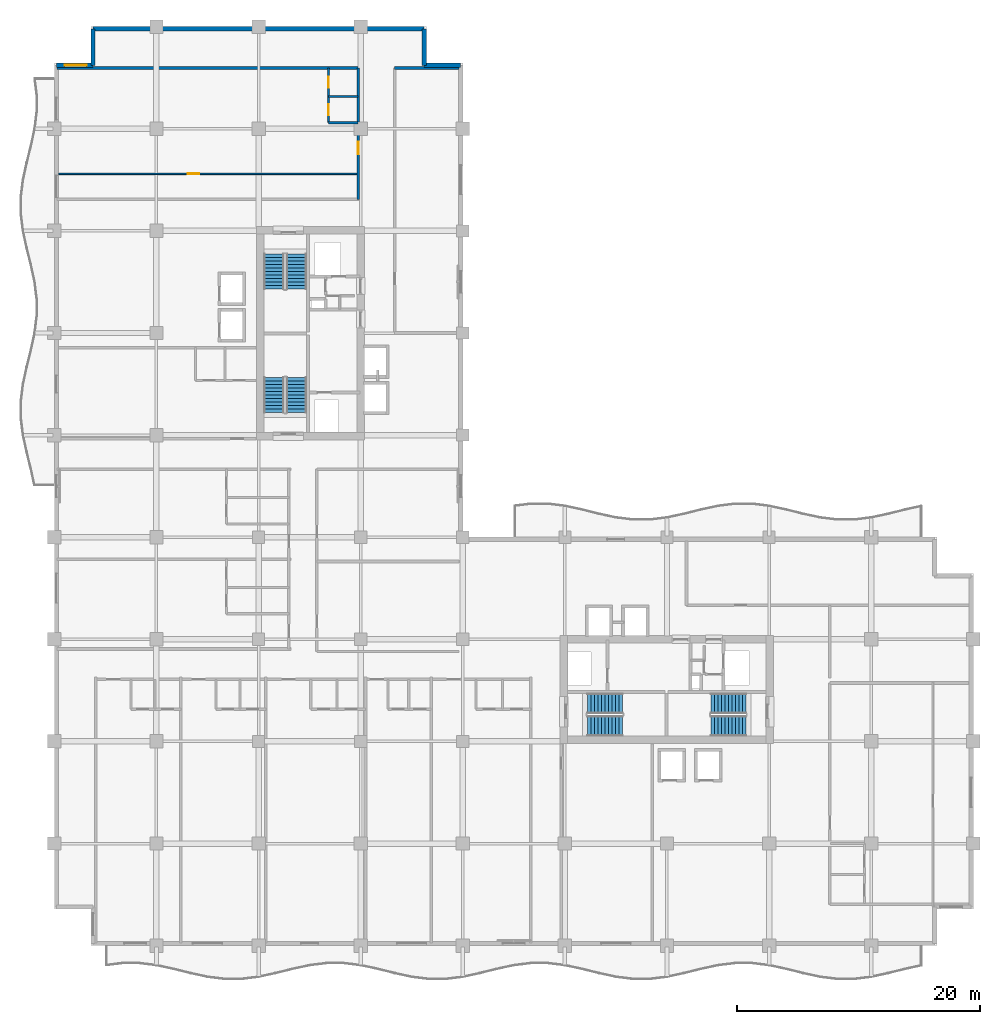
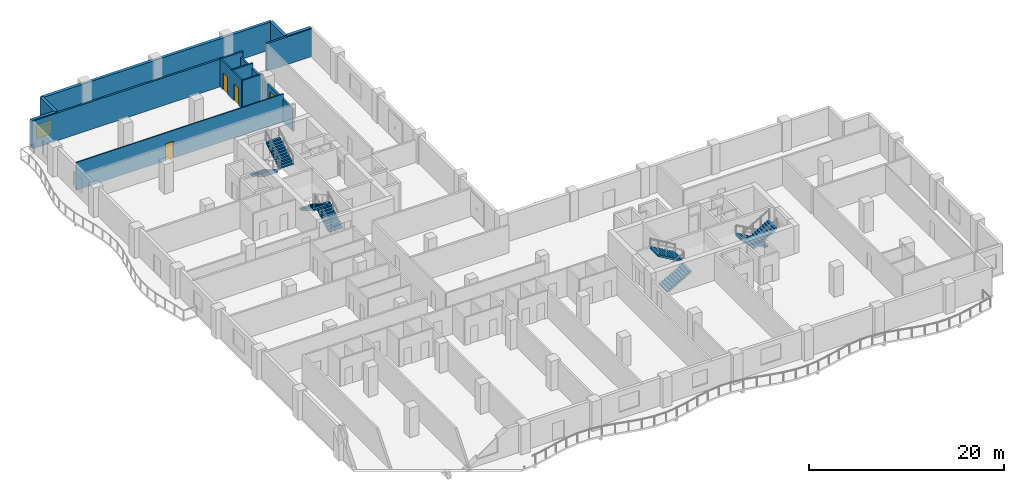
# One storey, part 10 of 15: 12 walls, 8 stair flights, 4 doors, 1 window, 5 openings, 4 elements without a shape of their own.
"""IFC4 building model written with IfcOpenShell, lengths in metres."""

from ifc_helpers import new_model, si_unit, direction, frame, frame_2d, origin, place, context, subcontext, project, spatial, polyline, rectangle, outline, extrude, material, layer, layer_set, type_object, element, fill, aggregate, save


model = new_model("IFC4")

# Units and contexts
model_context = context("Model", 3, precision=1e-05, world=origin(), true_north=direction((0.0, 1.0)))
body_context = subcontext(model_context, "Body", "Model", "MODEL_VIEW")
ifc_project = project(units=[si_unit("LENGTHUNIT", "METRE"), si_unit("AREAUNIT", "SQUARE_METRE"), si_unit("VOLUMEUNIT", "CUBIC_METRE"), si_unit("PLANEANGLEUNIT", "RADIAN"), si_unit("MASSUNIT", "GRAM", prefix="KILO")], contexts=[model_context])

# Site, building, storey
site_placement = place(None, origin())
site = spatial("IfcSite", under=ifc_project, at=site_placement, CompositionType="ELEMENT")
building_placement = place(site_placement, origin())
building = spatial("IfcBuilding", under=site, at=building_placement, Name="Koriwani Terraces Tower", CompositionType="ELEMENT")
storey_placement = place(building_placement, frame((0.0, 0.0, 193.89990234375)))
storey = spatial("IfcBuildingStorey", under=building, at=storey_placement, Name="L47", CompositionType="ELEMENT", Elevation=193.89990234375)

# Wall, opening, door
ifc_material_1 = material(Name="Autoclaved Cellular Concrete Blockwork", Category="masonry")
ifc_layer_1 = layer(ifc_material_1, 0.199951171875, Name="Autoclaved Cellular Concrete Blockwork")
ifc_layer_set_1 = layer_set([ifc_layer_1], Name="Autoclaved Cellular Concrete Blockwork")
wall_type_1 = type_object("IfcWallType", Name="WALL_CORRIDOR_200", PredefinedType="PARTITIONING", material=ifc_layer_set_1)
wall_1_placement = place(storey_placement, frame((25.0, 61.39990234375, 0.0), z_axis=(0.0, 0.0, 1.0), x_axis=(0.0, 1.0, 0.0)))
wall_1 = element("IfcWall", 1, at=wall_1_placement, inside=storey, type_object=wall_type_1, Name="L47 Interior Wall WRCOR-L47-NE-0", PredefinedType="PARTITIONING", context=body_context, shape_type="SweptSolid", body=[
    extrude(rectangle(XDim=10.800048828125, YDim=0.199951171875, at=frame_2d((5.39990234375, 0.0))), origin(), (0.0, 0.0, 1.0), 2.820068359375),
])
opening_1_placement = place(wall_1_placement, frame((3.719970703125, 0.0, 0.0)))
opening_1 = element("IfcOpeningElement", 2, at=opening_1_placement, cuts=wall_1, Name="Opening D-05", PredefinedType="OPENING", context=body_context, shape_type="SweptSolid", body=[
    extrude(rectangle(XDim=1.0, YDim=2.14990234375, at=frame_2d((0.5, 1.074951171875))), frame((0.0, 0.10986328125, 0.0), z_axis=(0.0, -1.0, 0.0), x_axis=(1.0, 0.0, 0.0)), (0.0, 0.0, 1.0), 0.219970703125),
])
ifc_material_2 = material(Name="Architectural Oak Fire Door", Category="wood")
door_type_1 = type_object("IfcDoorType", Name="DOOR_SUITE_ENTRY_1000X2150", OperationType="NOTDEFINED", PredefinedType="DOOR", material=ifc_material_2)
door_1_placement = place(opening_1_placement, origin())
door_1 = element("IfcDoor", 3, at=door_1_placement, inside=storey, type_object=door_type_1, Name="Apartment 47NE1 Entrance Door", OperationType="SINGLE_SWING_RIGHT", OverallHeight=2.14990234375, OverallWidth=1.0, PredefinedType="DOOR", context=body_context, shape_type="SweptSolid", body=[
    extrude(rectangle(XDim=1.0, YDim=2.14990234375, at=frame_2d((0.5, 1.074951171875))), frame((0.0, 0.02490234375, 0.0), z_axis=(0.0, -1.0, 0.0), x_axis=(1.0, 0.0, 0.0)), (0.0, 0.0, 1.0), 0.050048828125),
])
fill(opening_1, door_1)

# Walls
ifc_layer_2 = layer(ifc_material_1, 0.219970703125, Name="Autoclaved Cellular Concrete Blockwork")
ifc_layer_set_2 = layer_set([ifc_layer_2], Name="Autoclaved Cellular Concrete Blockwork")
wall_type_2 = type_object("IfcWallType", Name="WALL_DEMISING_220", PredefinedType="PARTITIONING", material=ifc_layer_set_2)
wall_2_placement = place(storey_placement, frame((0.199951171875, 72.199951171875, 0.0), z_axis=(0.0, 0.0, 1.0), x_axis=(1.0, 0.0, 0.0)))
element("IfcWall", 4, at=wall_2_placement, inside=storey, type_object=wall_type_2, Name="L47 Interior Wall WRDEME-L47-NE", PredefinedType="PARTITIONING", context=body_context, shape_type="SweptSolid", body=[
    extrude(rectangle(XDim=24.97998046875, YDim=0.219970703125, at=frame_2d((12.489990234375, 0.0))), origin(), (0.0, 0.0, 1.0), 3.47021484375),
])
wall_3_placement = place(storey_placement, frame((28.0, 72.199951171875, 0.0), z_axis=(0.0, 0.0, 1.0), x_axis=(1.0, 0.0, 0.0)))
element("IfcWall", 5, at=wall_3_placement, inside=storey, type_object=wall_type_2, Name="L47 Interior Wall WNEC-N-L47", PredefinedType="PARTITIONING", context=body_context, shape_type="SweptSolid", body=[
    extrude(rectangle(XDim=5.300048828125, YDim=0.219970703125, at=frame_2d((2.64990234375, 0.0))), origin(), (0.0, 0.0, 1.0), 3.47021484375),
])

# Wall, opening, window
ifc_material_3 = material(Name="Concrete C50/60", Category="concrete")
ifc_layer_3 = layer(ifc_material_3, 0.35009765625, Name="Concrete C50/60")
ifc_layer_set_3 = layer_set([ifc_layer_3], Name="Concrete C50/60")
wall_type_3 = type_object("IfcWallType", Name="WALL_EXT_BRUTALIST_350", PredefinedType="STANDARD", material=ifc_layer_set_3)
wall_4_placement = place(storey_placement, frame((0.175048828125, 72.425048828125, 0.0), z_axis=(0.0, 0.0, 1.0), x_axis=(1.0, 0.0, 0.0)))
wall_4 = element("IfcWall", 6, at=wall_4_placement, inside=storey, type_object=wall_type_3, Name="L47 Fair-Faced Brutalist Exterior Wall (N3)", PredefinedType="STANDARD", context=body_context, shape_type="SweptSolid", body=[
    extrude(rectangle(XDim=3.0, YDim=0.35009765625, at=frame_2d((1.5, 0.0))), origin(), (0.0, 0.0, 1.0), 3.47021484375),
])
opening_2_placement = place(wall_4_placement, frame((0.677490234375, 0.0, 0.85009765625)))
opening_2 = element("IfcOpeningElement", 7, at=opening_2_placement, cuts=wall_4, Name="Opening W-04", PredefinedType="OPENING", context=body_context, shape_type="SweptSolid", body=[
    extrude(rectangle(XDim=1.800048828125, YDim=1.800048828125, at=frame_2d((0.89990234375, 0.89990234375))), frame((0.0, 0.18505859375, 0.0), z_axis=(0.0, -1.0, 0.0), x_axis=(1.0, 0.0, 0.0)), (0.0, 0.0, 1.0), 0.3701171875),
])
ifc_material_4 = material(Name="Tempered Laminated Low-E Glass", Category="glass")
window_type = type_object("IfcWindowType", Name="WIN_RES_BED_1800X1800", PartitioningType="DOUBLE_PANEL_VERTICAL", PredefinedType="WINDOW", material=ifc_material_4)
window_placement = place(opening_2_placement, origin())
window = element("IfcWindow", 8, at=window_placement, inside=storey, type_object=window_type, Name="L47 Exterior Window (N3-R56)", OverallHeight=1.800048828125, OverallWidth=1.800048828125, PartitioningType="SINGLE_PANEL", PredefinedType="WINDOW", context=body_context, shape_type="SweptSolid", body=[
    extrude(rectangle(XDim=1.800048828125, YDim=1.800048828125, at=frame_2d((0.89990234375, 0.89990234375))), frame((0.0, 0.030029296875, 0.0), z_axis=(0.0, -1.0, 0.0), x_axis=(1.0, 0.0, 0.0)), (0.0, 0.0, 1.0), 0.06005859375),
])
fill(opening_2, window)

# Walls
wall_5_placement = place(storey_placement, frame((3.175048828125, 72.425048828125, 0.0), z_axis=(0.0, 0.0, 1.0), x_axis=(0.0, 1.0, 0.0)))
element("IfcWall", 9, at=wall_5_placement, inside=storey, type_object=wall_type_3, Name="L47 Fair-Faced Brutalist Exterior Wall (N4)", PredefinedType="STANDARD", context=body_context, shape_type="SweptSolid", body=[
    extrude(rectangle(XDim=3.0, YDim=0.35009765625, at=frame_2d((1.5, 0.0))), origin(), (0.0, 0.0, 1.0), 3.47021484375),
])
wall_6_placement = place(storey_placement, frame((3.175048828125, 75.425048828125, 0.0), z_axis=(0.0, 0.0, 1.0), x_axis=(1.0, 0.0, 0.0)))
element("IfcWall", 10, at=wall_6_placement, inside=storey, type_object=wall_type_3, Name="L47 Fair-Faced Brutalist Exterior Wall (N_TIP)", PredefinedType="STANDARD", context=body_context, shape_type="SweptSolid", body=[
    extrude(rectangle(XDim=27.25, YDim=0.35009765625, at=frame_2d((13.625, 0.0))), origin(), (0.0, 0.0, 1.0), 3.47021484375),
])
for number, where, z_axis, x_axis, name in (
    (11, (30.425048828125, 75.425048828125, 0.0), (0.0, 0.0, 1.0), (0.0, -1.0, 0.0), "L47 Fair-Faced Brutalist Exterior Wall (N6)"),
    (12, (30.425048828125, 72.425048828125, 0.0), (0.0, 0.0, 1.0), (1.0, 0.0, 0.0), "L47 Fair-Faced Brutalist Exterior Wall (N7)"),
):
    element("IfcWall", number, at=place(storey_placement, frame(where, z_axis=z_axis, x_axis=x_axis)), inside=storey, type_object=wall_type_3, Name=name, PredefinedType="STANDARD", context=body_context, shape_type="SweptSolid", body=[
        extrude(rectangle(XDim=3.0, YDim=0.35009765625, at=frame_2d((1.5, 0.0))), origin(), (0.0, 0.0, 1.0), 3.47021484375),
    ])

# Wall, opening, door
ifc_material_5 = material(Name="Fire-Rated Acoustic Gypsum Partition", Category="masonry")
ifc_layer_4 = layer(ifc_material_5, 0.125, Name="Fire-Rated Acoustic Gypsum Partition")
ifc_layer_set_4 = layer_set([ifc_layer_4], Name="Fire-Rated Acoustic Gypsum Partition")
wall_type_4 = type_object("IfcWallType", Name="WALL_INT_125", PredefinedType="PARTITIONING", material=ifc_layer_set_4)
wall_7_placement = place(storey_placement, frame((0.35009765625, 63.5, 0.0), z_axis=(0.0, 0.0, 1.0), x_axis=(1.0, 0.0, 0.0)))
wall_7 = element("IfcWall", 13, at=wall_7_placement, inside=storey, type_object=wall_type_4, Name="L47 Interior Wall WRBED1-L47-NE-0", PredefinedType="PARTITIONING", context=body_context, shape_type="SweptSolid", body=[
    extrude(rectangle(XDim=24.64990234375, YDim=0.125, at=frame_2d((12.324951171875, 0.0))), origin(), (0.0, 0.0, 1.0), 3.47021484375),
])
opening_3_placement = place(wall_7_placement, frame((10.639892578125, 0.0, 0.0)))
opening_3 = element("IfcOpeningElement", 14, at=opening_3_placement, cuts=wall_7, Name="Opening D-06", PredefinedType="OPENING", context=body_context, shape_type="SweptSolid", body=[
    extrude(rectangle(XDim=0.919921875, YDim=2.10009765625, at=frame_2d((0.4599609375, 1.050048828125))), frame((0.0, 0.072509765625, 0.0), z_axis=(0.0, -1.0, 0.0), x_axis=(1.0, 0.0, 0.0)), (0.0, 0.0, 1.0), 0.14501953125),
])
door_type_2 = type_object("IfcDoorType", Name="DOOR_ROOM_INT_920X2100", OperationType="NOTDEFINED", PredefinedType="DOOR", material=ifc_material_2)
door_2_placement = place(opening_3_placement, origin())
door_2 = element("IfcDoor", 15, at=door_2_placement, inside=storey, type_object=door_type_2, Name="Apartment 47NE1 Master Bedroom Door", OperationType="SINGLE_SWING_LEFT", OverallHeight=2.10009765625, OverallWidth=0.919921875, PredefinedType="DOOR", context=body_context, shape_type="SweptSolid", body=[
    extrude(rectangle(XDim=0.919921875, YDim=2.10009765625, at=frame_2d((0.4599609375, 1.050048828125))), frame((0.0, 0.02490234375, 0.0), z_axis=(0.0, -1.0, 0.0), x_axis=(1.0, 0.0, 0.0)), (0.0, 0.0, 1.0), 0.050048828125),
])
fill(opening_3, door_2)

# Wall, openings, doors
ifc_layer_5 = layer(ifc_material_5, 0.179931640625, Name="Fire-Rated Acoustic Gypsum Partition")
ifc_layer_set_5 = layer_set([ifc_layer_5], Name="Fire-Rated Acoustic Gypsum Partition")
wall_type_5 = type_object("IfcWallType", Name="WALL_PLUMBING_180", PredefinedType="PLUMBINGWALL", material=ifc_layer_set_5)
wall_8_placement = place(storey_placement, frame((22.550048828125, 67.699951171875, 0.0), z_axis=(0.0, 0.0, 1.0), x_axis=(0.0, 1.0, 0.0)))
wall_8 = element("IfcWall", 16, at=wall_8_placement, inside=storey, type_object=wall_type_5, Name="L47 Interior Wall WRSVC-L47-NE-0", PredefinedType="PLUMBINGWALL", context=body_context, shape_type="SweptSolid", body=[
    extrude(rectangle(XDim=4.5, YDim=0.179931640625, at=frame_2d((2.25, 0.0))), origin(), (0.0, 0.0, 1.0), 3.47021484375),
])
opening_4_placement = place(wall_8_placement, frame((0.6298828125, 0.0, 0.0)))
opening_4 = element("IfcOpeningElement", 17, at=opening_4_placement, cuts=wall_8, Name="Opening D-07", PredefinedType="OPENING", context=body_context, shape_type="SweptSolid", body=[
    extrude(rectangle(XDim=0.89990234375, YDim=2.10009765625, at=frame_2d((0.449951171875, 1.050048828125))), frame((0.0, 0.10009765625, 0.0), z_axis=(0.0, -1.0, 0.0), x_axis=(1.0, 0.0, 0.0)), (0.0, 0.0, 1.0), 0.199951171875),
])
opening_5_placement = place(wall_8_placement, frame((2.8701171875, 0.0, 0.0)))
opening_5 = element("IfcOpeningElement", 18, at=opening_5_placement, cuts=wall_8, Name="Opening D-06", PredefinedType="OPENING", context=body_context, shape_type="SweptSolid", body=[
    extrude(rectangle(XDim=0.919921875, YDim=2.10009765625, at=frame_2d((0.4599609375, 1.050048828125))), frame((0.0, 0.10009765625, 0.0), z_axis=(0.0, -1.0, 0.0), x_axis=(1.0, 0.0, 0.0)), (0.0, 0.0, 1.0), 0.199951171875),
])
door_type_3 = type_object("IfcDoorType", Name="DOOR_BATH_INT_900X2100", OperationType="NOTDEFINED", PredefinedType="DOOR", material=ifc_material_2)
door_3_placement = place(opening_4_placement, origin())
door_3 = element("IfcDoor", 19, at=door_3_placement, inside=storey, type_object=door_type_3, Name="Apartment 47NE1 Bathroom Door", OperationType="SINGLE_SWING_LEFT", OverallHeight=2.10009765625, OverallWidth=0.89990234375, PredefinedType="DOOR", context=body_context, shape_type="SweptSolid", body=[
    extrude(rectangle(XDim=0.89990234375, YDim=2.10009765625, at=frame_2d((0.449951171875, 1.050048828125))), frame((0.0, 0.02490234375, 0.0), z_axis=(0.0, -1.0, 0.0), x_axis=(1.0, 0.0, 0.0)), (0.0, 0.0, 1.0), 0.050048828125),
])
fill(opening_4, door_3)
door_4_placement = place(opening_5_placement, origin())
door_4 = element("IfcDoor", 20, at=door_4_placement, inside=storey, type_object=door_type_2, Name="Apartment 47NE1 Kitchen Door", OperationType="SINGLE_SWING_RIGHT", OverallHeight=2.10009765625, OverallWidth=0.919921875, PredefinedType="DOOR", context=body_context, shape_type="SweptSolid", body=[
    extrude(rectangle(XDim=0.919921875, YDim=2.10009765625, at=frame_2d((0.4599609375, 1.050048828125))), frame((0.0, 0.02490234375, 0.0), z_axis=(0.0, -1.0, 0.0), x_axis=(1.0, 0.0, 0.0)), (0.0, 0.0, 1.0), 0.050048828125),
])
fill(opening_5, door_4)

# Walls
for number, where, z_axis, x_axis, name in (
    (21, (22.550048828125, 67.699951171875, 0.0), (0.0, 0.0, 1.0), (1.0, 0.0, 0.0), "L47 Interior Wall WRSVCS-L47-NE-0"),
    (22, (22.550048828125, 69.860107421875, 0.0), (0.0, 0.0, 1.0), (1.0, 0.0, 0.0), "L47 Interior Wall WRSVCM-L47-NE-0"),
):
    element("IfcWall", number, at=place(storey_placement, frame(where, z_axis=z_axis, x_axis=x_axis)), inside=storey, type_object=wall_type_5, Name=name, PredefinedType="PLUMBINGWALL", context=body_context, shape_type="SweptSolid", body=[
        extrude(rectangle(XDim=2.449951171875, YDim=0.179931640625, at=frame_2d((1.22509765625, 0.0))), origin(), (0.0, 0.0, 1.0), 3.47021484375),
    ])

# Stair, stair flights
ifc_material_6 = material(Name="Concrete C40/50", Category="concrete")
stair_type = type_object("IfcStairType", Name="STAIR_CORE_DOGLEG_1650", PredefinedType="TWO_STRAIGHT_RUN_STAIR", material=ifc_material_6)
stair_1_placement = place(storey_placement, origin())
stair_1 = element("IfcStair", 23, at=stair_1_placement, inside=storey, type_object=stair_type, Name="L47 West Core Exit Stair 1", PredefinedType="HALF_TURN_STAIR")
stair_flight_type = type_object("IfcStairFlightType", Name="STAIR_FLIGHT_RC_1650", PredefinedType="STRAIGHT", material=ifc_material_6)
stair_flight_1_placement = place(storey_placement, frame((19.925048828125, 43.85009765625, 0.0), z_axis=(0.0, 0.0, 1.0), x_axis=(0.0, 1.0, 0.0)))
stair_flight_1 = element("IfcStairFlight", 24, at=stair_flight_1_placement, type_object=stair_flight_type, Name="ST-W1 flight 1", NumberOfRisers=11, NumberOfTreads=10, PredefinedType="STRAIGHT", RiserHeight=0.168181818, TreadLength=0.29, context=body_context, shape_type="SweptSolid", body=[
    extrude(outline(polyline([(0.0, 0.0), (0.0, 0.168212890625), (0.2900390625, 0.168212890625), (0.2900390625, 0.33642578125), (0.580078125, 0.33642578125), (0.580078125, 0.504638671875), (0.8701171875, 0.504638671875), (0.8701171875, 0.672607421875), (1.159912109375, 0.672607421875), (1.159912109375, 0.8408203125), (1.449951171875, 0.8408203125), (1.449951171875, 1.009033203125), (1.739990234375, 1.009033203125), (1.739990234375, 1.17724609375), (2.030029296875, 1.17724609375), (2.030029296875, 1.345458984375), (2.320068359375, 1.345458984375), (2.320068359375, 1.513671875), (2.610107421875, 1.513671875), (2.610107421875, 1.681884765625), (2.89990234375, 1.681884765625), (2.89990234375, 1.85009765625), (2.89990234375, 1.473876953125), (0.358642578125, 0.0), (0.0, 0.0)])), frame((0.0, 0.824951171875, 0.0), z_axis=(0.0, -1.0, 0.0), x_axis=(1.0, 0.0, 0.0)), (0.0, 0.0, 1.0), 1.64990234375),
])
stair_flight_2_placement = place(storey_placement, frame((18.074951171875, 46.75, 1.85009765625), z_axis=(0.0, 0.0, 1.0), x_axis=(0.0, -1.0, 0.0)))
stair_flight_2 = element("IfcStairFlight", 25, at=stair_flight_2_placement, type_object=stair_flight_type, Name="ST-W1 flight 2", NumberOfRisers=11, NumberOfTreads=10, PredefinedType="STRAIGHT", RiserHeight=0.168181818, TreadLength=0.29, context=body_context, shape_type="SweptSolid", body=[
    extrude(outline(polyline([(0.0, 0.0), (0.0, 0.168212890625), (0.2900390625, 0.168212890625), (0.2900390625, 0.33642578125), (0.580078125, 0.33642578125), (0.580078125, 0.504638671875), (0.8701171875, 0.504638671875), (0.8701171875, 0.672607421875), (1.159912109375, 0.672607421875), (1.159912109375, 0.8408203125), (1.449951171875, 0.8408203125), (1.449951171875, 1.009033203125), (1.739990234375, 1.009033203125), (1.739990234375, 1.17724609375), (2.030029296875, 1.17724609375), (2.030029296875, 1.345458984375), (2.320068359375, 1.345458984375), (2.320068359375, 1.513671875), (2.610107421875, 1.513671875), (2.610107421875, 1.681884765625), (2.89990234375, 1.681884765625), (2.89990234375, 1.85009765625), (2.89990234375, 1.473876953125), (0.358642578125, 0.0), (0.0, 0.0)])), frame((0.0, 0.824951171875, 0.0), z_axis=(0.0, -1.0, 0.0), x_axis=(1.0, 0.0, 0.0)), (0.0, 0.0, 1.0), 1.64990234375),
])
aggregate(stair_1, [stair_flight_1, stair_flight_2])

stair_2_placement = place(storey_placement, origin())
stair_2 = element("IfcStair", 26, at=stair_2_placement, inside=storey, type_object=stair_type, Name="L47 West Core Exit Stair 2", PredefinedType="HALF_TURN_STAIR")
stair_flight_3_placement = place(storey_placement, frame((18.074951171875, 56.89990234375, 0.0), z_axis=(0.0, 0.0, 1.0), x_axis=(0.0, -1.0, 0.0)))
stair_flight_3 = element("IfcStairFlight", 27, at=stair_flight_3_placement, type_object=stair_flight_type, Name="ST-W2 flight 1", NumberOfRisers=11, NumberOfTreads=10, PredefinedType="STRAIGHT", RiserHeight=0.168181818, TreadLength=0.29, context=body_context, shape_type="SweptSolid", body=[
    extrude(outline(polyline([(0.0, 0.0), (0.0, 0.168212890625), (0.2900390625, 0.168212890625), (0.2900390625, 0.33642578125), (0.580078125, 0.33642578125), (0.580078125, 0.504638671875), (0.8701171875, 0.504638671875), (0.8701171875, 0.672607421875), (1.159912109375, 0.672607421875), (1.159912109375, 0.8408203125), (1.449951171875, 0.8408203125), (1.449951171875, 1.009033203125), (1.739990234375, 1.009033203125), (1.739990234375, 1.17724609375), (2.030029296875, 1.17724609375), (2.030029296875, 1.345458984375), (2.320068359375, 1.345458984375), (2.320068359375, 1.513671875), (2.610107421875, 1.513671875), (2.610107421875, 1.681884765625), (2.89990234375, 1.681884765625), (2.89990234375, 1.85009765625), (2.89990234375, 1.473876953125), (0.358642578125, 0.0), (0.0, 0.0)])), frame((0.0, 0.824951171875, 0.0), z_axis=(0.0, -1.0, 0.0), x_axis=(1.0, 0.0, 0.0)), (0.0, 0.0, 1.0), 1.64990234375),
])
stair_flight_4_placement = place(storey_placement, frame((19.925048828125, 54.0, 1.85009765625), z_axis=(0.0, 0.0, 1.0), x_axis=(0.0, 1.0, 0.0)))
stair_flight_4 = element("IfcStairFlight", 28, at=stair_flight_4_placement, type_object=stair_flight_type, Name="ST-W2 flight 2", NumberOfRisers=11, NumberOfTreads=10, PredefinedType="STRAIGHT", RiserHeight=0.168181818, TreadLength=0.29, context=body_context, shape_type="SweptSolid", body=[
    extrude(outline(polyline([(0.0, 0.0), (0.0, 0.168212890625), (0.2900390625, 0.168212890625), (0.2900390625, 0.33642578125), (0.580078125, 0.33642578125), (0.580078125, 0.504638671875), (0.8701171875, 0.504638671875), (0.8701171875, 0.672607421875), (1.159912109375, 0.672607421875), (1.159912109375, 0.8408203125), (1.449951171875, 0.8408203125), (1.449951171875, 1.009033203125), (1.739990234375, 1.009033203125), (1.739990234375, 1.17724609375), (2.030029296875, 1.17724609375), (2.030029296875, 1.345458984375), (2.320068359375, 1.345458984375), (2.320068359375, 1.513671875), (2.610107421875, 1.513671875), (2.610107421875, 1.681884765625), (2.89990234375, 1.681884765625), (2.89990234375, 1.85009765625), (2.89990234375, 1.473876953125), (0.358642578125, 0.0), (0.0, 0.0)])), frame((0.0, 0.824951171875, 0.0), z_axis=(0.0, -1.0, 0.0), x_axis=(1.0, 0.0, 0.0)), (0.0, 0.0, 1.0), 1.64990234375),
])
aggregate(stair_2, [stair_flight_3, stair_flight_4])

stair_3_placement = place(storey_placement, origin())
stair_3 = element("IfcStair", 29, at=stair_3_placement, inside=storey, type_object=stair_type, Name="L47 East Core Exit Stair 1", PredefinedType="HALF_TURN_STAIR")
stair_flight_5_placement = place(storey_placement, frame((43.85009765625, 18.074951171875, 0.0), z_axis=(0.0, 0.0, 1.0), x_axis=(1.0, 0.0, 0.0)))
stair_flight_5 = element("IfcStairFlight", 30, at=stair_flight_5_placement, type_object=stair_flight_type, Name="ST-E1 flight 1", NumberOfRisers=11, NumberOfTreads=10, PredefinedType="STRAIGHT", RiserHeight=0.168181818, TreadLength=0.29, context=body_context, shape_type="SweptSolid", body=[
    extrude(outline(polyline([(0.0, 0.0), (0.0, 0.168212890625), (0.2900390625, 0.168212890625), (0.2900390625, 0.33642578125), (0.580078125, 0.33642578125), (0.580078125, 0.504638671875), (0.8701171875, 0.504638671875), (0.8701171875, 0.672607421875), (1.159912109375, 0.672607421875), (1.159912109375, 0.8408203125), (1.449951171875, 0.8408203125), (1.449951171875, 1.009033203125), (1.739990234375, 1.009033203125), (1.739990234375, 1.17724609375), (2.030029296875, 1.17724609375), (2.030029296875, 1.345458984375), (2.320068359375, 1.345458984375), (2.320068359375, 1.513671875), (2.610107421875, 1.513671875), (2.610107421875, 1.681884765625), (2.89990234375, 1.681884765625), (2.89990234375, 1.85009765625), (2.89990234375, 1.473876953125), (0.358642578125, 0.0), (0.0, 0.0)])), frame((0.0, 0.824951171875, 0.0), z_axis=(0.0, -1.0, 0.0), x_axis=(1.0, 0.0, 0.0)), (0.0, 0.0, 1.0), 1.64990234375),
])
stair_flight_6_placement = place(storey_placement, frame((46.75, 19.925048828125, 1.85009765625), z_axis=(0.0, 0.0, 1.0), x_axis=(-1.0, 0.0, 0.0)))
stair_flight_6 = element("IfcStairFlight", 31, at=stair_flight_6_placement, type_object=stair_flight_type, Name="ST-E1 flight 2", NumberOfRisers=11, NumberOfTreads=10, PredefinedType="STRAIGHT", RiserHeight=0.168181818, TreadLength=0.29, context=body_context, shape_type="SweptSolid", body=[
    extrude(outline(polyline([(0.0, 0.0), (0.0, 0.168212890625), (0.2900390625, 0.168212890625), (0.2900390625, 0.33642578125), (0.580078125, 0.33642578125), (0.580078125, 0.504638671875), (0.8701171875, 0.504638671875), (0.8701171875, 0.672607421875), (1.159912109375, 0.672607421875), (1.159912109375, 0.8408203125), (1.449951171875, 0.8408203125), (1.449951171875, 1.009033203125), (1.739990234375, 1.009033203125), (1.739990234375, 1.17724609375), (2.030029296875, 1.17724609375), (2.030029296875, 1.345458984375), (2.320068359375, 1.345458984375), (2.320068359375, 1.513671875), (2.610107421875, 1.513671875), (2.610107421875, 1.681884765625), (2.89990234375, 1.681884765625), (2.89990234375, 1.85009765625), (2.89990234375, 1.473876953125), (0.358642578125, 0.0), (0.0, 0.0)])), frame((0.0, 0.824951171875, 0.0), z_axis=(0.0, -1.0, 0.0), x_axis=(1.0, 0.0, 0.0)), (0.0, 0.0, 1.0), 1.64990234375),
])
aggregate(stair_3, [stair_flight_5, stair_flight_6])

stair_4_placement = place(storey_placement, origin())
stair_4 = element("IfcStair", 32, at=stair_4_placement, inside=storey, type_object=stair_type, Name="L47 East Core Exit Stair 2", PredefinedType="HALF_TURN_STAIR")
stair_flight_7_placement = place(storey_placement, frame((56.89990234375, 19.925048828125, 0.0), z_axis=(0.0, 0.0, 1.0), x_axis=(-1.0, 0.0, 0.0)))
stair_flight_7 = element("IfcStairFlight", 33, at=stair_flight_7_placement, type_object=stair_flight_type, Name="ST-E2 flight 1", NumberOfRisers=11, NumberOfTreads=10, PredefinedType="STRAIGHT", RiserHeight=0.168181818, TreadLength=0.29, context=body_context, shape_type="SweptSolid", body=[
    extrude(outline(polyline([(0.0, 0.0), (0.0, 0.168212890625), (0.2900390625, 0.168212890625), (0.2900390625, 0.33642578125), (0.580078125, 0.33642578125), (0.580078125, 0.504638671875), (0.8701171875, 0.504638671875), (0.8701171875, 0.672607421875), (1.159912109375, 0.672607421875), (1.159912109375, 0.8408203125), (1.449951171875, 0.8408203125), (1.449951171875, 1.009033203125), (1.739990234375, 1.009033203125), (1.739990234375, 1.17724609375), (2.030029296875, 1.17724609375), (2.030029296875, 1.345458984375), (2.320068359375, 1.345458984375), (2.320068359375, 1.513671875), (2.610107421875, 1.513671875), (2.610107421875, 1.681884765625), (2.89990234375, 1.681884765625), (2.89990234375, 1.85009765625), (2.89990234375, 1.473876953125), (0.358642578125, 0.0), (0.0, 0.0)])), frame((0.0, 0.824951171875, 0.0), z_axis=(0.0, -1.0, 0.0), x_axis=(1.0, 0.0, 0.0)), (0.0, 0.0, 1.0), 1.64990234375),
])
stair_flight_8_placement = place(storey_placement, frame((54.0, 18.074951171875, 1.85009765625), z_axis=(0.0, 0.0, 1.0), x_axis=(1.0, 0.0, 0.0)))
stair_flight_8 = element("IfcStairFlight", 34, at=stair_flight_8_placement, type_object=stair_flight_type, Name="ST-E2 flight 2", NumberOfRisers=11, NumberOfTreads=10, PredefinedType="STRAIGHT", RiserHeight=0.168181818, TreadLength=0.29, context=body_context, shape_type="SweptSolid", body=[
    extrude(outline(polyline([(0.0, 0.0), (0.0, 0.168212890625), (0.2900390625, 0.168212890625), (0.2900390625, 0.33642578125), (0.580078125, 0.33642578125), (0.580078125, 0.504638671875), (0.8701171875, 0.504638671875), (0.8701171875, 0.672607421875), (1.159912109375, 0.672607421875), (1.159912109375, 0.8408203125), (1.449951171875, 0.8408203125), (1.449951171875, 1.009033203125), (1.739990234375, 1.009033203125), (1.739990234375, 1.17724609375), (2.030029296875, 1.17724609375), (2.030029296875, 1.345458984375), (2.320068359375, 1.345458984375), (2.320068359375, 1.513671875), (2.610107421875, 1.513671875), (2.610107421875, 1.681884765625), (2.89990234375, 1.681884765625), (2.89990234375, 1.85009765625), (2.89990234375, 1.473876953125), (0.358642578125, 0.0), (0.0, 0.0)])), frame((0.0, 0.824951171875, 0.0), z_axis=(0.0, -1.0, 0.0), x_axis=(1.0, 0.0, 0.0)), (0.0, 0.0, 1.0), 1.64990234375),
])
aggregate(stair_4, [stair_flight_7, stair_flight_8])

save(model, "model.ifc")
